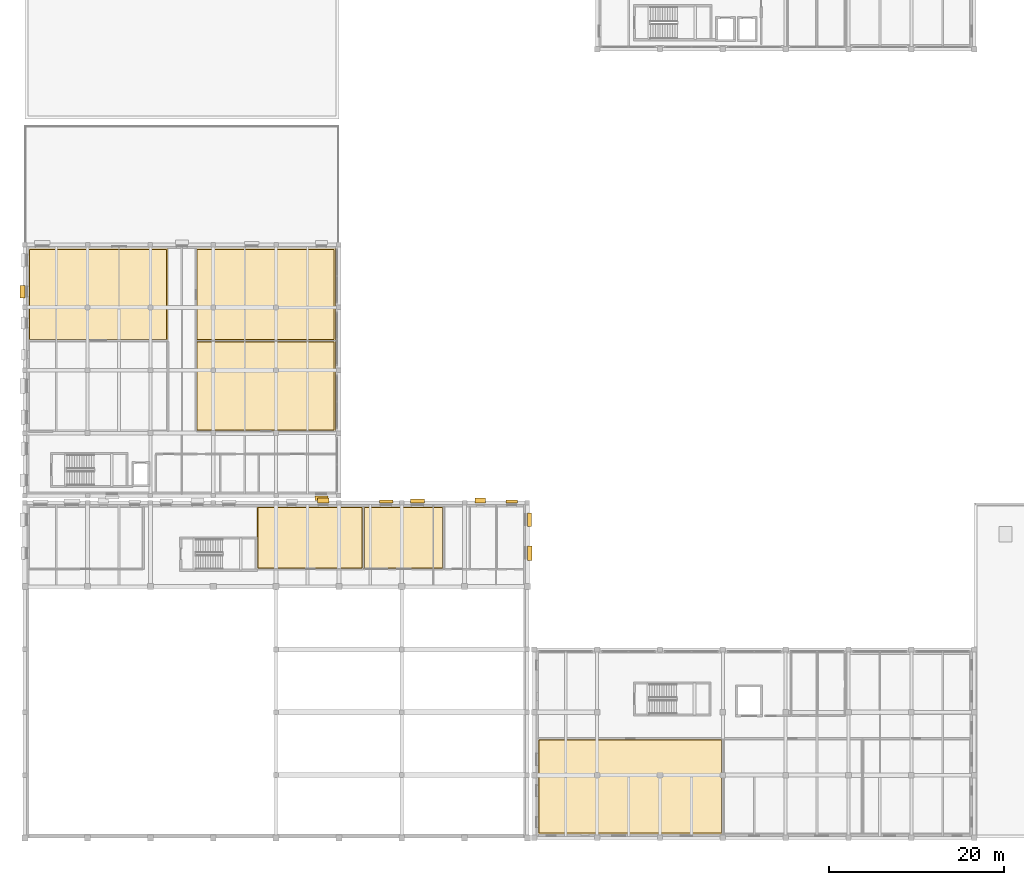
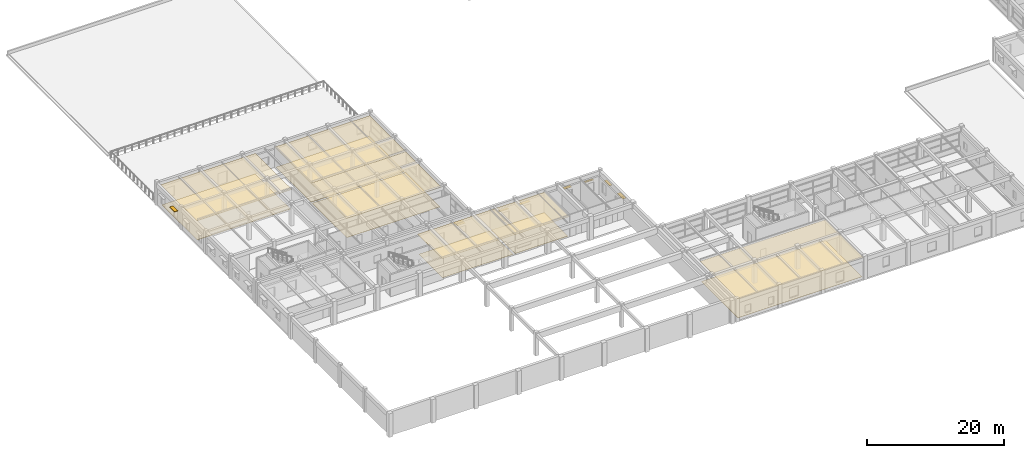
# One storey, part 60 of 67: 12 coverings, 9 shading devices.
"""IFC4 building model written with IfcOpenShell, lengths in metres."""

import ifcopenshell
import ifcopenshell.guid

model = None  # the IFC model being written
_history = None  # IfcOwnerHistory: only IFC2X3 demands one
_inside = {}  # id of a spatial element -> (the spatial element, [elements in it])
_under = {}  # id of a project, library or spatial element -> (it, [spatial elements below it])
_declared = {}  # id of a project -> (the project, [libraries it declares])
_typed = {}  # id of a type object -> (the type object, [elements of that type])
_made_of = {}  # id of a material, layer set ... -> (it, [elements and type objects made of it])


def new_model(schema):
    """Start an empty IFC model of exactly this schema.

    Asked for "IFC4X3", IfcOpenShell would pick the latest addendum, in which some entities
    have other attributes; the version numbers below select the first issue.
    IFC2X3 requires an IfcOwnerHistory on every rooted entity: one is made here for all.
    """
    global model, _history
    if schema == "IFC4X3":
        model = ifcopenshell.file(schema_version=(4, 3, 0, 0))
    else:
        model = ifcopenshell.file(schema=schema)
    _inside.clear()
    _under.clear()
    _declared.clear()
    _typed.clear()
    _made_of.clear()
    _history = None
    if model.schema == "IFC2X3":
        org = make("IfcOrganization", Name="unknown")
        user = make(
            "IfcPersonAndOrganization",
            ThePerson=make("IfcPerson", FamilyName="unknown"),
            TheOrganization=org,
        )
        app = make(
            "IfcApplication",
            ApplicationDeveloper=org,
            Version="unknown",
            ApplicationFullName="unknown",
            ApplicationIdentifier="unknown",
        )
        _history = make(
            "IfcOwnerHistory",
            OwningUser=user,
            OwningApplication=app,
            ChangeAction="ADDED",
            CreationDate=0,
        )
    return model


def make(cls, **values):
    """One entity of the class cls with the attributes given. An attribute that is None is left unset."""
    return model.create_entity(
        cls, **{name: value for name, value in values.items() if value is not None}
    )


def rooted(cls, **values):
    """An entity with a GlobalId (a new one), such as an element, a storey or a relation."""
    return make(cls, GlobalId=ifcopenshell.guid.new(), OwnerHistory=_history, **values)


def si_unit(unit_type, name, prefix=None):
    """IfcSIUnit, for example si_unit("LENGTHUNIT", "METRE", prefix="MILLI")."""
    return make("IfcSIUnit", UnitType=unit_type, Prefix=prefix, Name=name)


def assignment(units):
    """IfcUnitAssignment: the units of a project."""
    return None if units is None else make("IfcUnitAssignment", Units=units)


def point(xyz):
    """IfcCartesianPoint."""
    return None if xyz is None else make("IfcCartesianPoint", Coordinates=xyz)


def direction(xyz):
    """IfcDirection."""
    return None if xyz is None else make("IfcDirection", DirectionRatios=xyz)


def frame(location, z_axis=None, x_axis=None):
    """IfcAxis2Placement3D, a coordinate frame: its origin and axes. An axis left out is left unset."""
    return make(
        "IfcAxis2Placement3D",
        Location=point(location),
        Axis=direction(z_axis),
        RefDirection=direction(x_axis),
    )


def frame_2d(location, x_axis=None):
    """IfcAxis2Placement2D, a coordinate frame in the plane: its origin and x axis."""
    return make(
        "IfcAxis2Placement2D", Location=point(location), RefDirection=direction(x_axis)
    )


def origin():
    """The frame at (0, 0, 0) with its axes left unset."""
    return frame((0.0, 0.0, 0.0))


def origin_2d():
    """The frame at (0, 0) in the plane with its x axis left unset."""
    return frame_2d((0.0, 0.0))


def place(relative_to, where):
    """IfcLocalPlacement: puts the frame where relative to a parent placement (None: the world)."""
    return make(
        "IfcLocalPlacement", PlacementRelTo=relative_to, RelativePlacement=where
    )


def context(
    kind, dimensions, precision=None, world=None, true_north=None, identifier=None
):
    """IfcGeometricRepresentationContext, for example the 3D "Model" context."""
    return make(
        "IfcGeometricRepresentationContext",
        ContextIdentifier=identifier,
        ContextType=kind,
        CoordinateSpaceDimension=dimensions,
        Precision=precision,
        WorldCoordinateSystem=world,
        TrueNorth=true_north,
    )


def subcontext(parent, identifier, kind, view, scale=None):
    """IfcGeometricRepresentationSubContext, for example "Body" below "Model"."""
    return make(
        "IfcGeometricRepresentationSubContext",
        ContextIdentifier=identifier,
        ContextType=kind,
        ParentContext=parent,
        TargetScale=scale,
        TargetView=view,
    )


def project(units=None, contexts=None):
    """IfcProject with its units and contexts."""
    return rooted(
        "IfcProject",
        Name="project",
        RepresentationContexts=contexts,
        UnitsInContext=assignment(units),
    )


def spatial(cls, under=None, at=None, **own):
    """A site, building, storey or space (cls), placed at a placement, below another one or the project."""
    s = rooted(cls, ObjectPlacement=at, **own)
    if under is not None:
        _under.setdefault(under.id(), (under, []))[1].append(s)
    return s


def polyline(points):
    """IfcPolyline through the points."""
    return make("IfcPolyline", Points=[point(p) for p in points])


def profile(cls, at=None, kind="AREA", **sizes):
    """A parametric profile (cls). Its sizes go by their IFC names, for example OverallWidth=200.0."""
    return make(cls, ProfileType=kind, Position=at, **sizes)


def rectangle(**sizes):
    """IfcRectangleProfileDef."""
    return profile("IfcRectangleProfileDef", **sizes)


def outline(outer, holes=None, kind="AREA"):
    """IfcArbitraryClosedProfileDef: a profile drawn as a closed curve; with holes, ...WithVoids."""
    if holes is None:
        return make("IfcArbitraryClosedProfileDef", ProfileType=kind, OuterCurve=outer)
    return make(
        "IfcArbitraryProfileDefWithVoids",
        ProfileType=kind,
        OuterCurve=outer,
        InnerCurves=holes,
    )


def extrude(swept, where, along, depth):
    """IfcExtrudedAreaSolid: the profile swept, set in the frame where, extruded along a direction by depth."""
    return make(
        "IfcExtrudedAreaSolid",
        SweptArea=swept,
        Position=where,
        ExtrudedDirection=direction(along),
        Depth=depth,
    )


def shape(context_of_items, identifier, shape_type, items):
    """IfcShapeRepresentation: the items that make up one representation, for example the "Body"."""
    return make(
        "IfcShapeRepresentation",
        ContextOfItems=context_of_items,
        RepresentationIdentifier=identifier,
        RepresentationType=shape_type,
        Items=items,
    )


def material(Name=None, Category=None):
    """IfcMaterial."""
    return make("IfcMaterial", Name=Name, Category=Category)


def layer(
    of_material, thickness, ventilated=None, Name=None, Category=None, Priority=None
):
    """IfcMaterialLayer: one layer of a wall or slab, of a material (None: an air gap)."""
    return make(
        "IfcMaterialLayer",
        Material=of_material,
        LayerThickness=thickness,
        IsVentilated=ventilated,
        Name=Name,
        Category=Category,
        Priority=Priority,
    )


def layer_set(layers, Name=None):
    """IfcMaterialLayerSet."""
    return make("IfcMaterialLayerSet", MaterialLayers=layers, LayerSetName=Name)


def made_of(thing, what):
    """Note that an element or type object is made of a material, layer set ...; save() writes the relation."""
    if what is not None:
        _made_of.setdefault(what.id(), (what, []))[1].append(thing)
    return thing


def type_object(cls, material=None, **own):
    """A type object (cls), such as IfcWallType, which elements share."""
    return made_of(rooted(cls, **own), material)


def element(
    cls,
    number,
    at=None,
    inside=None,
    cuts=None,
    type_object=None,
    material=None,
    context=None,
    identifier="Body",
    shape_type=None,
    held_by="IfcProductDefinitionShape",
    body=None,
    shapes=None,
    **own,
):
    """One element of the class cls, such as IfcWall. Its Tag is "e" and its number.

    at: its placement. inside: the storey or other place that contains it. cuts: it is an
    opening in that element (IfcRelVoidsElement). A single representation is given by context,
    identifier, shape_type and body (its items); several are given by shapes. held_by: the class
    of the entity that holds the representations. save() writes the other relations.
    """
    e = rooted(cls, Tag="e%d" % number, ObjectPlacement=at, **own)
    if body is not None:
        shapes = [shape(context, identifier, shape_type, body)]
    if shapes is not None:
        e.Representation = make(held_by, Representations=shapes)
    if inside is not None:
        _inside.setdefault(inside.id(), (inside, []))[1].append(e)
    if cuts is not None:
        rooted(
            "IfcRelVoidsElement", RelatingBuildingElement=cuts, RelatedOpeningElement=e
        )
    if type_object is not None:
        _typed.setdefault(type_object.id(), (type_object, []))[1].append(e)
    return made_of(e, material)


def aggregate(whole, parts):
    """IfcRelAggregates: a whole, such as a stair, and the parts it consists of."""
    return rooted("IfcRelAggregates", RelatingObject=whole, RelatedObjects=parts)


def save(model, path):
    """Write the relations noted so far, then the file.

    IfcRelAggregates (storeys below a building ...), IfcRelContainedInSpatialStructure (elements
    in a storey), IfcRelDefinesByType, IfcRelAssociatesMaterial and IfcRelDeclares: one each for
    every whole, place, type object, material and project.
    """
    for whole, parts in _under.values():
        aggregate(whole, parts)
    for where, things in _inside.values():
        rooted(
            "IfcRelContainedInSpatialStructure",
            RelatedElements=things,
            RelatingStructure=where,
        )
    for kind, things in _typed.values():
        rooted("IfcRelDefinesByType", RelatedObjects=things, RelatingType=kind)
    for what, things in _made_of.values():
        rooted("IfcRelAssociatesMaterial", RelatedObjects=things, RelatingMaterial=what)
    for by, libraries in _declared.values():
        rooted("IfcRelDeclares", RelatingContext=by, RelatedDefinitions=libraries)
    model.write(path)


model = new_model("IFC4")

# Units and contexts
model_context = context("Model", 3, precision=1e-05, world=origin(), true_north=direction((0.0, 1.0)))
body_context = subcontext(model_context, "Body", "Model", "MODEL_VIEW")
ifc_project = project(units=[si_unit("LENGTHUNIT", "METRE"), si_unit("AREAUNIT", "SQUARE_METRE"), si_unit("VOLUMEUNIT", "CUBIC_METRE"), si_unit("PLANEANGLEUNIT", "RADIAN"), si_unit("MASSUNIT", "GRAM", prefix="KILO")], contexts=[model_context])

# Site, building, storey
site_placement = place(None, origin())
site = spatial("IfcSite", under=ifc_project, at=site_placement, CompositionType="ELEMENT")
building_placement = place(site_placement, origin())
building = spatial("IfcBuilding", under=site, at=building_placement, Name="Bramveld Media Centre", CompositionType="ELEMENT")
storey_placement = place(building_placement, frame((0.0, 0.0, 5.39990234375)))
storey = spatial("IfcBuildingStorey", under=building, at=storey_placement, Name="L01", CompositionType="ELEMENT", Elevation=5.39990234375)

# Coverings
ifc_material_1 = material(Name="Perforated acoustic mineral-fibre & oak-slat suspended ceiling")
ifc_layer_1 = layer(ifc_material_1, 0.044921875)
ifc_layer_set_1 = layer_set([ifc_layer_1], Name="Perforated acoustic mineral-fibre & oak-slat suspended ceiling")
covering_type_1 = type_object("IfcCoveringType", Name="COV-CEIL-01", PredefinedType="CEILING", material=ifc_layer_set_1)
covering_1_placement = place(storey_placement, frame((0.0, 0.0, 3.525146484375)))
element("IfcCovering", 1, at=covering_1_placement, inside=storey, type_object=covering_type_1, Name="Studio 2 Sound Control & Mixing Gallery acoustic suspended ceiling", PredefinedType="CEILING", context=body_context, shape_type="SweptSolid", body=[
    extrude(outline(polyline([(26.60009765625, 30.800048828125), (38.800048828125, 30.800048828125), (38.800048828125, 38.0), (26.60009765625, 38.0), (26.60009765625, 30.800048828125)])), origin(), (0.0, 0.0, 1.0), 0.044921875),
])
covering_2_placement = place(storey_placement, frame((0.0, 0.0, 3.545166015625)))
element("IfcCovering", 2, at=covering_2_placement, inside=storey, type_object=covering_type_1, Name="Park Loggia Circulation Lobby acoustic suspended ceiling", PredefinedType="CEILING", context=body_context, shape_type="SweptSolid", body=[
    extrude(outline(polyline([(0.39990234375, 57.0), (16.39990234375, 57.0), (16.39990234375, 67.60009765625), (0.39990234375, 67.60009765625), (0.39990234375, 57.0)])), origin(), (0.0, 0.0, 1.0), 0.044921875),
])
ifc_material_2 = material(Name="Spring-isolated studio acoustic gypsum & mineral-wool ceiling")
ifc_layer_2 = layer(ifc_material_2, 0.06005859375)
ifc_layer_set_2 = layer_set([ifc_layer_2], Name="Spring-isolated studio acoustic gypsum & mineral-wool ceiling")
covering_type_2 = type_object("IfcCoveringType", Name="COV-CEIL-02", PredefinedType="CEILING", material=ifc_layer_set_2)
covering_3_placement = place(storey_placement, frame((0.0, 0.0, 3.510009765625)))
element("IfcCovering", 3, at=covering_3_placement, inside=storey, type_object=covering_type_2, Name="Master Control & Ingest Server Room acoustic suspended ceiling", PredefinedType="CEILING", context=body_context, shape_type="SweptSolid", body=[
    extrude(outline(polyline([(38.800048828125, 30.800048828125), (48.0, 30.800048828125), (48.0, 38.0), (38.800048828125, 38.0), (38.800048828125, 30.800048828125)])), origin(), (0.0, 0.0, 1.0), 0.06005859375),
])
covering_4_placement = place(storey_placement, frame((0.0, 0.0, 3.530029296875)))
element("IfcCovering", 4, at=covering_4_placement, inside=storey, type_object=covering_type_2, Name="Sound Restoration Studio A acoustic suspended ceiling", PredefinedType="CEILING", context=body_context, shape_type="SweptSolid", body=[
    extrude(outline(polyline([(19.60009765625, 46.60009765625), (35.60009765625, 46.60009765625), (35.60009765625, 57.0), (19.60009765625, 57.0), (19.60009765625, 46.60009765625)])), origin(), (0.0, 0.0, 1.0), 0.06005859375),
])
covering_5_placement = place(storey_placement, frame((0.0, 0.0, 3.530029296875)))
element("IfcCovering", 5, at=covering_5_placement, inside=storey, type_object=covering_type_2, Name="Foley Recording Studio B acoustic suspended ceiling", PredefinedType="CEILING", context=body_context, shape_type="SweptSolid", body=[
    extrude(outline(polyline([(19.60009765625, 57.0), (35.60009765625, 57.0), (35.60009765625, 67.60009765625), (19.60009765625, 67.60009765625), (19.60009765625, 57.0)])), origin(), (0.0, 0.0, 1.0), 0.06005859375),
])
covering_6_placement = place(storey_placement, frame((0.0, 0.0, 3.5400390625)))
element("IfcCovering", 6, at=covering_6_placement, inside=storey, type_object=covering_type_2, Name="Public Audio-Visual Mediatheque Stacks acoustic suspended ceiling", PredefinedType="CEILING", context=body_context, shape_type="SweptSolid", body=[
    extrude(outline(polyline([(58.800048828125, 0.39990234375), (80.0, 0.39990234375), (80.0, 11.39990234375), (58.800048828125, 11.39990234375), (58.800048828125, 0.39990234375)])), origin(), (0.0, 0.0, 1.0), 0.06005859375),
])
ifc_material_3 = material(Name="Floating acoustic screed with smoked European oak studio flooring")
ifc_layer_3 = layer(ifc_material_3, 0.06494140625)
ifc_layer_set_3 = layer_set([ifc_layer_3], Name="Floating acoustic screed with smoked European oak studio flooring")
covering_type_3 = type_object("IfcCoveringType", Name="COV-FLOOR-01", PredefinedType="FLOORING", material=ifc_layer_set_3)
covering_7_placement = place(storey_placement, origin())
element("IfcCovering", 7, at=covering_7_placement, inside=storey, type_object=covering_type_3, Name="Master Control & Ingest Server Room finish flooring", PredefinedType="FLOORING", context=body_context, shape_type="SweptSolid", body=[
    extrude(outline(polyline([(38.949951171875, 30.949951171875), (47.85009765625, 30.949951171875), (47.85009765625, 37.85009765625), (38.949951171875, 37.85009765625), (38.949951171875, 30.949951171875)])), origin(), (0.0, 0.0, 1.0), 0.065185546875),
])
covering_8_placement = place(storey_placement, origin())
element("IfcCovering", 8, at=covering_8_placement, inside=storey, type_object=covering_type_3, Name="Park Loggia Circulation Lobby finish flooring", PredefinedType="FLOORING", context=body_context, shape_type="SweptSolid", body=[
    extrude(outline(polyline([(0.550048828125, 57.14990234375), (16.25, 57.14990234375), (16.25, 67.449951171875), (0.550048828125, 67.449951171875), (0.550048828125, 57.14990234375)])), origin(), (0.0, 0.0, 1.0), 0.065185546875),
])
ifc_material_4 = material(Name="Honed Belgian bluestone (petit granit) public concourse flooring", Category="masonry")
ifc_layer_4 = layer(ifc_material_4, 0.050048828125)
ifc_layer_set_4 = layer_set([ifc_layer_4], Name="Honed Belgian bluestone (petit granit) public concourse flooring")
covering_type_4 = type_object("IfcCoveringType", Name="COV-FLOOR-02", PredefinedType="FLOORING", material=ifc_layer_set_4)
covering_9_placement = place(storey_placement, origin())
element("IfcCovering", 9, at=covering_9_placement, inside=storey, type_object=covering_type_4, Name="Foley Recording Studio B finish flooring", PredefinedType="FLOORING", context=body_context, shape_type="SweptSolid", body=[
    extrude(outline(polyline([(19.75, 57.14990234375), (35.449951171875, 57.14990234375), (35.449951171875, 67.449951171875), (19.75, 67.449951171875), (19.75, 57.14990234375)])), origin(), (0.0, 0.0, 1.0), 0.050048828125),
])
ifc_material_5 = material(Name="Anti-static acoustic linoleum editing & vault flooring")
ifc_layer_5 = layer(ifc_material_5, 0.0400390625)
ifc_layer_set_5 = layer_set([ifc_layer_5], Name="Anti-static acoustic linoleum editing & vault flooring")
covering_type_5 = type_object("IfcCoveringType", Name="COV-FLOOR-03", PredefinedType="FLOORING", material=ifc_layer_set_5)
covering_10_placement = place(storey_placement, origin())
element("IfcCovering", 10, at=covering_10_placement, inside=storey, type_object=covering_type_5, Name="Studio 2 Sound Control & Mixing Gallery finish flooring", PredefinedType="FLOORING", context=body_context, shape_type="SweptSolid", body=[
    extrude(outline(polyline([(26.75, 30.949951171875), (38.64990234375, 30.949951171875), (38.64990234375, 37.85009765625), (26.75, 37.85009765625), (26.75, 30.949951171875)])), origin(), (0.0, 0.0, 1.0), 0.0400390625),
])
covering_11_placement = place(storey_placement, origin())
element("IfcCovering", 11, at=covering_11_placement, inside=storey, type_object=covering_type_5, Name="Sound Restoration Studio A finish flooring", PredefinedType="FLOORING", context=body_context, shape_type="SweptSolid", body=[
    extrude(outline(polyline([(19.75, 46.75), (35.449951171875, 46.75), (35.449951171875, 56.85009765625), (19.75, 56.85009765625), (19.75, 46.75)])), origin(), (0.0, 0.0, 1.0), 0.0400390625),
])
covering_12_placement = place(storey_placement, origin())
element("IfcCovering", 12, at=covering_12_placement, inside=storey, type_object=covering_type_5, Name="Public Audio-Visual Mediatheque Stacks finish flooring", PredefinedType="FLOORING", context=body_context, shape_type="SweptSolid", body=[
    extrude(outline(polyline([(58.949951171875, 0.550048828125), (79.85009765625, 0.550048828125), (79.85009765625, 11.25), (58.949951171875, 11.25), (58.949951171875, 0.550048828125)])), origin(), (0.0, 0.0, 1.0), 0.0400390625),
])

# Shading devices
ifc_material_6 = material(Name="Anodized bronze extruded aluminium solar shading fin", Category="aluminium")
shading_device_type_1 = type_object("IfcShadingDeviceType", Name="SHD-BRISE-350", PredefinedType="JALOUSIE", material=ifc_material_6)
shading_device_1_placement = place(storey_placement, frame((41.39990234375, 38.574951171875, 2.360107421875), z_axis=(0.0, 0.0, 1.0), x_axis=(1.0, 0.0, 0.0)))
element("IfcShadingDevice", 13, at=shading_device_1_placement, inside=storey, type_object=shading_device_type_1, Name="Bronze solar shading fin 75", PredefinedType="JALOUSIE", context=body_context, shape_type="SweptSolid", body=[
    extrude(rectangle(XDim=1.550048828125, YDim=0.35009765625, at=origin_2d()), origin(), (0.0, 0.0, 1.0), 0.06005859375),
])
shading_device_2_placement = place(storey_placement, frame((55.800048828125, 38.574951171875, 2.510009765625), z_axis=(0.0, 0.0, 1.0), x_axis=(1.0, 0.0, 0.0)))
element("IfcShadingDevice", 14, at=shading_device_2_placement, inside=storey, type_object=shading_device_type_1, Name="Bronze solar shading fin 78", PredefinedType="JALOUSIE", context=body_context, shape_type="SweptSolid", body=[
    extrude(rectangle(XDim=1.35009765625, YDim=0.35009765625, at=origin_2d()), origin(), (0.0, 0.0, 1.0), 0.06005859375),
])
ifc_material_7 = material(Name="Anodized bronze extruded aluminium solar shading fin", Category="aluminium")
shading_device_type_2 = type_object("IfcShadingDeviceType", Name="SHD-BRISE-450", PredefinedType="JALOUSIE", material=ifc_material_7)
shading_device_3_placement = place(storey_placement, frame((57.824951171875, 36.47998046875, 2.66015625), z_axis=(0.0, 0.0, 1.0), x_axis=(1.0, 0.0, 0.0)))
element("IfcShadingDevice", 15, at=shading_device_3_placement, inside=storey, type_object=shading_device_type_2, Name="Bronze solar shading fin 64", PredefinedType="JALOUSIE", context=body_context, shape_type="SweptSolid", body=[
    extrude(rectangle(XDim=0.449951171875, YDim=1.5400390625, at=origin_2d()), origin(), (0.0, 0.0, 1.0), 0.06005859375),
])
shading_device_4_placement = place(storey_placement, frame((45.0, 38.625, 2.360107421875), z_axis=(0.0, 0.0, 1.0), x_axis=(1.0, 0.0, 0.0)))
element("IfcShadingDevice", 16, at=shading_device_4_placement, inside=storey, type_object=shading_device_type_2, Name="Bronze solar shading fin 76", PredefinedType="JALOUSIE", context=body_context, shape_type="SweptSolid", body=[
    extrude(rectangle(XDim=1.64990234375, YDim=0.449951171875, at=origin_2d()), origin(), (0.0, 0.0, 1.0), 0.06005859375),
])
ifc_material_8 = material(Name="Anodized bronze extruded aluminium solar shading fin", Category="aluminium")
shading_device_type_3 = type_object("IfcShadingDeviceType", Name="SHD-BRISE-550", PredefinedType="JALOUSIE", material=ifc_material_8)
shading_device_5_placement = place(storey_placement, frame((57.875, 32.639892578125, 2.66015625), z_axis=(0.0, 0.0, 1.0), x_axis=(1.0, 0.0, 0.0)))
element("IfcShadingDevice", 17, at=shading_device_5_placement, inside=storey, type_object=shading_device_type_3, Name="Bronze solar shading fin 65", PredefinedType="JALOUSIE", context=body_context, shape_type="SweptSolid", body=[
    extrude(rectangle(XDim=0.550048828125, YDim=1.639892578125, at=origin_2d()), origin(), (0.0, 0.0, 1.0), 0.06005859375),
])
shading_device_6_placement = place(storey_placement, frame((34.199951171875, 38.675048828125, 2.360107421875), z_axis=(0.0, 0.0, 1.0), x_axis=(1.0, 0.0, 0.0)))
element("IfcShadingDevice", 18, at=shading_device_6_placement, inside=storey, type_object=shading_device_type_3, Name="Bronze solar shading fin 74", PredefinedType="JALOUSIE", context=body_context, shape_type="SweptSolid", body=[
    extrude(rectangle(XDim=1.35009765625, YDim=0.550048828125, at=origin_2d()), origin(), (0.0, 0.0, 1.0), 0.06005859375),
])
shading_device_7_placement = place(storey_placement, frame((52.199951171875, 38.675048828125, 2.510009765625), z_axis=(0.0, 0.0, 1.0), x_axis=(1.0, 0.0, 0.0)))
element("IfcShadingDevice", 19, at=shading_device_7_placement, inside=storey, type_object=shading_device_type_3, Name="Bronze solar shading fin 77", PredefinedType="JALOUSIE", context=body_context, shape_type="SweptSolid", body=[
    extrude(rectangle(XDim=1.199951171875, YDim=0.550048828125, at=origin_2d()), origin(), (0.0, 0.0, 1.0), 0.06005859375),
])
shading_device_8_placement = place(storey_placement, frame((34.0, 38.925048828125, 2.510009765625), z_axis=(0.0, 0.0, 1.0), x_axis=(1.0, 0.0, 0.0)))
element("IfcShadingDevice", 20, at=shading_device_8_placement, inside=storey, type_object=shading_device_type_3, Name="Bronze solar shading fin 110", PredefinedType="JALOUSIE", context=body_context, shape_type="SweptSolid", body=[
    extrude(rectangle(XDim=1.449951171875, YDim=0.550048828125, at=origin_2d()), origin(), (0.0, 0.0, 1.0), 0.06005859375),
])
shading_device_9_placement = place(storey_placement, frame((-0.27490234375, 62.60009765625, 2.510009765625), z_axis=(0.0, 0.0, 1.0), x_axis=(1.0, 0.0, 0.0)))
element("IfcShadingDevice", 21, at=shading_device_9_placement, inside=storey, type_object=shading_device_type_3, Name="Bronze solar shading fin 122", PredefinedType="JALOUSIE", context=body_context, shape_type="SweptSolid", body=[
    extrude(rectangle(XDim=0.550048828125, YDim=1.449951171875, at=origin_2d()), origin(), (0.0, 0.0, 1.0), 0.06005859375),
])

save(model, "model.ifc")
